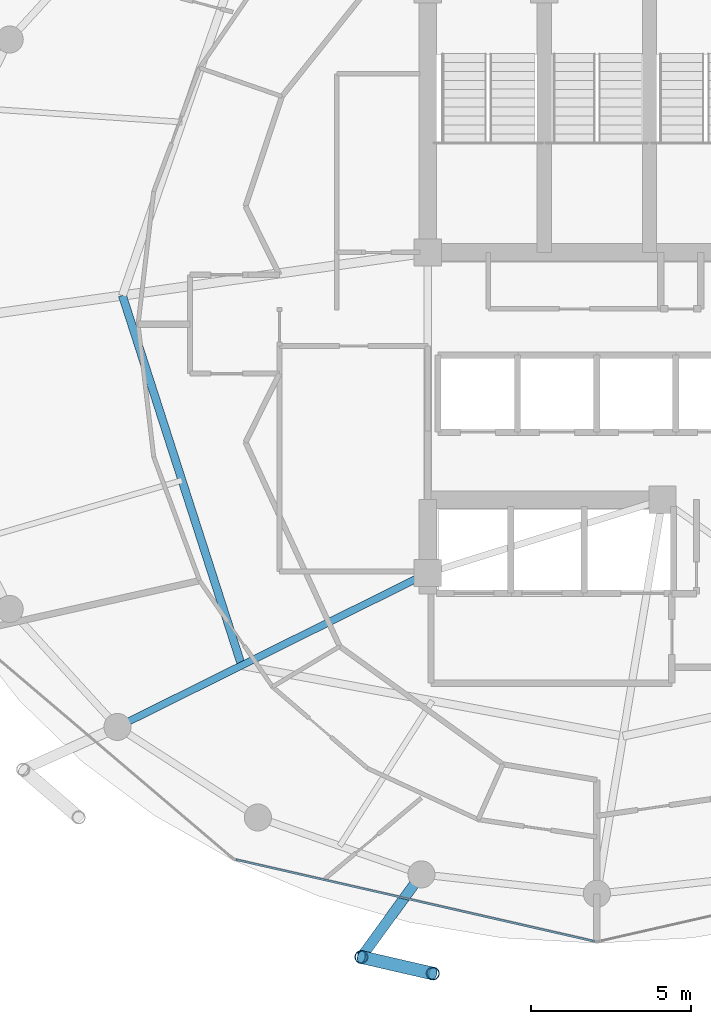
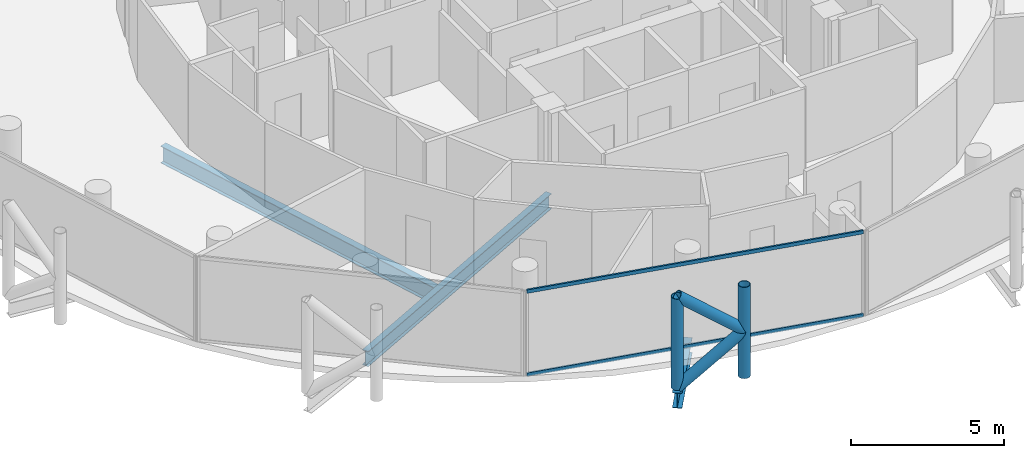
# One storey, part 4 of 27: 6 members, 3 beams, 1 element without a shape of its own.
"""IFC4 building model written with IfcOpenShell, lengths in metres."""

from ifc_helpers import new_model, si_unit, direction, frame, origin, origin_2d, place, context, subcontext, project, spatial, hollow_rectangle, hollow_circle, i_section, extrude, material, layer, layer_set, material_profile, profile_set, type_object, element, aggregate, save


model = new_model("IFC4")

# Units and contexts
model_context = context("Model", 3, precision=1e-05, world=origin(), true_north=direction((0.0, 1.0)))
body_context = subcontext(model_context, "Body", "Model", "MODEL_VIEW")
ifc_project = project(units=[si_unit("LENGTHUNIT", "METRE"), si_unit("AREAUNIT", "SQUARE_METRE"), si_unit("VOLUMEUNIT", "CUBIC_METRE"), si_unit("PLANEANGLEUNIT", "RADIAN"), si_unit("MASSUNIT", "GRAM", prefix="KILO")], contexts=[model_context])

# Site, building, storey
site_placement = place(None, origin())
site = spatial("IfcSite", under=ifc_project, at=site_placement, CompositionType="ELEMENT")
building_placement = place(site_placement, origin())
building = spatial("IfcBuilding", under=site, at=building_placement, Name="Nuhasar Tower", CompositionType="ELEMENT")
storey_placement = place(building_placement, frame((0.0, 0.0, 251.949951171875)))
storey = spatial("IfcBuildingStorey", under=building, at=storey_placement, Name="L62", CompositionType="ELEMENT", Elevation=251.949951171875)

# Beams
ifc_material_1 = material(Name="Steel S355", Category="steel")
ifc_material_profile_1 = material_profile(ifc_material_1, i_section(OverallWidth=0.25390625, OverallDepth=0.68408203125, WebThickness=0.012451171875, FlangeThickness=0.018798828125, at=origin_2d()), Name="W27X94")
ifc_profile_set_1 = profile_set([ifc_material_profile_1], Name="Steel S355")
beam_type_1 = type_object("IfcBeamType", Name="BM-INRING-W27X94", PredefinedType="BEAM", material=ifc_profile_set_1)
beam_1_placement = place(storey_placement, frame((24.1298828125, 27.699951171875, -0.58203125), z_axis=(0.306589852134, -0.951841721385, 0.0), x_axis=(0.951841721385, 0.306589852134, 0.0)))
element("IfcBeam", 1, at=beam_1_placement, inside=storey, type_object=beam_type_1, Name="L62 Inner Header Beam 08", PredefinedType="BEAM", context=body_context, shape_type="SweptSolid", body=[
    extrude(i_section(OverallWidth=0.25390625, OverallDepth=0.68408203125, WebThickness=0.012451171875, FlangeThickness=0.018798828125, at=origin_2d()), origin(), (0.0, 0.0, 1.0), 12.179443359375),
])
ifc_material_profile_2 = material_profile(ifc_material_1, i_section(OverallWidth=0.22900390625, OverallDepth=0.612060546875, WebThickness=0.011962890625, FlangeThickness=0.01953125, at=origin_2d()), Name="W24X84")
ifc_profile_set_2 = profile_set([ifc_material_profile_2], Name="Steel S355")
beam_type_2 = type_object("IfcBeamType", Name="BM-RAD-W24X84", PredefinedType="BEAM", material=ifc_profile_set_2)
beam_2_placement = place(storey_placement, frame((33.699951171875, 19.0, -0.5458984375), z_axis=(-0.895928935233, -0.444197414459, 0.0), x_axis=(0.444197414459, -0.895928935233, 0.0)))
element("IfcBeam", 2, at=beam_2_placement, inside=storey, type_object=beam_type_2, Name="L62 Radial Floor Girder 01", PredefinedType="BEAM", context=body_context, shape_type="SweptSolid", body=[
    extrude(i_section(OverallWidth=0.22900390625, OverallDepth=0.612060546875, WebThickness=0.011962890625, FlangeThickness=0.01953125, at=origin_2d()), origin(), (0.0, 0.0, 1.0), 10.85546875),
])
ifc_material_profile_3 = material_profile(ifc_material_1, i_section(OverallWidth=0.323974609375, OverallDepth=0.611083984375, WebThickness=0.0126953125, FlangeThickness=0.01904296875, at=origin_2d()), Name="W24X104")
ifc_profile_set_3 = profile_set([ifc_material_profile_3], Name="Steel S355")
beam_type_3 = type_object("IfcBeamType", Name="BM-TIE-W24X104", PredefinedType="BEAM", material=ifc_profile_set_3)
beam_3_placement = place(storey_placement, frame((33.5, 9.55810546875, -0.544921875), z_axis=(-0.588094663461, -0.808792103577, 0.0), x_axis=(0.808792103577, -0.588094663461, 0.0)))
element("IfcBeam", 3, at=beam_3_placement, inside=storey, type_object=beam_type_3, Name="L62 Exoskeleton Node Tie Beam 09", PredefinedType="BEAM", context=body_context, shape_type="SweptSolid", body=[
    extrude(i_section(OverallWidth=0.323974609375, OverallDepth=0.611083984375, WebThickness=0.0126953125, FlangeThickness=0.01904296875, at=origin_2d()), origin(), (0.0, 0.0, 1.0), 3.20361328125),
])

# Curtain wall, members
ifc_material_2 = material(Name="Aluminium 6063-T6", Category="aluminium")
ifc_layer = layer(ifc_material_2, 0.18994140625)
ifc_layer_set = layer_set([ifc_layer], Name="Aluminium 6063-T6")
curtain_wall_type = type_object("IfcCurtainWallType", Name="CW-Z3-RES", PredefinedType="NOTDEFINED", material=ifc_layer_set)
curtain_wall_placement = place(storey_placement, origin())
curtain_wall = element("IfcCurtainWall", 4, at=curtain_wall_placement, inside=storey, type_object=curtain_wall_type, Name="L62 Unitised Curtain Wall 09", PredefinedType="NOTDEFINED")
ifc_material_profile_4 = material_profile(ifc_material_2, hollow_rectangle(XDim=0.06494140625, YDim=0.139892578125, WallThickness=0.00439453125, at=origin_2d()), Name="CWT-4")
ifc_profile_set_4 = profile_set([ifc_material_profile_4], Name="Aluminium 6063-T6")
member_type_1 = type_object("IfcMemberType", Name="CW-TRN-S4", PredefinedType="USERDEFINED", material=ifc_profile_set_4)
member_1_placement = place(storey_placement, frame((27.683349609375, 10.01953125, 0.032470703125), z_axis=(0.974989487479, -0.222250982686, 0.0), x_axis=(0.222250982686, 0.974989487479, 0.0)))
member_1 = element("IfcMember", 5, at=member_1_placement, type_object=member_type_1, Name="CW-Z3 transom 1.1", ObjectType="TRANSOM", PredefinedType="USERDEFINED", context=body_context, shape_type="SweptSolid", body=[
    extrude(hollow_rectangle(XDim=0.06494140625, YDim=0.139892578125, WallThickness=0.00439453125, at=origin_2d()), origin(), (0.0, 0.0, 1.0), 11.541748046875),
])
member_2_placement = place(storey_placement, frame((27.683349609375, 10.01953125, 3.357666015625), z_axis=(0.974989487479, -0.222250982686, 0.0), x_axis=(0.222250982686, 0.974989487479, 0.0)))
member_2 = element("IfcMember", 6, at=member_2_placement, type_object=member_type_1, Name="CW-Z3 transom 1.2", ObjectType="TRANSOM", PredefinedType="USERDEFINED", context=body_context, shape_type="SweptSolid", body=[
    extrude(hollow_rectangle(XDim=0.06494140625, YDim=0.139892578125, WallThickness=0.00439453125, at=origin_2d()), origin(), (0.0, 0.0, 1.0), 11.541748046875),
])
aggregate(curtain_wall, [member_1, member_2])

# Members
ifc_material_3 = material(Name="Steel S460", Category="steel")
ifc_material_profile_5 = material_profile(ifc_material_3, hollow_circle(Radius=0.203125, WallThickness=0.01904296875, at=origin_2d()), Name="HSS406.4X19.1")
ifc_profile_set_5 = profile_set([ifc_material_profile_5], Name="Steel S460")
member_type_2 = type_object("IfcMemberType", Name="EXO-BRONZE-406", PredefinedType="BRACE", material=ifc_profile_set_5)
for number, where, z_axis, x_axis, name in (
    (7, (31.615966796875, 6.967041015625, 0.0), (0.0, 0.0, 1.0), (1.0, 0.0, 0.0), "L62 Exoskeleton Chord Column EC-09A"),
    (8, (33.85693359375, 6.450927734375, 0.0), (0.0, 0.0, 1.0), (1.0, 0.0, 0.0), "L62 Exoskeleton Chord Column EC-09B"),
):
    element("IfcMember", number, at=place(storey_placement, frame(where, z_axis=z_axis, x_axis=x_axis)), inside=storey, type_object=member_type_2, Name=name, PredefinedType="BRACE", context=body_context, shape_type="SweptSolid", body=[
        extrude(hollow_circle(Radius=0.203125, WallThickness=0.01904296875, at=origin_2d()), origin(), (0.0, 0.0, 1.0), 3.650146484375),
    ])
member_3_placement = place(storey_placement, frame((31.615966796875, 6.967041015625, 0.0), z_axis=(0.76333158458, -0.175801609086, 0.621625841021), x_axis=(0.224433035437, 0.97448951385, 0.0)))
element("IfcMember", 9, at=member_3_placement, inside=storey, type_object=member_type_2, Name="L62 Bronze Diagrid Brace W1-09", PredefinedType="BRACE", context=body_context, shape_type="SweptSolid", body=[
    extrude(hollow_circle(Radius=0.203125, WallThickness=0.01904296875, at=origin_2d()), origin(), (0.0, 0.0, 1.0), 2.935791015625),
])
member_4_placement = place(storey_placement, frame((33.85693359375, 6.450927734375, 1.824951171875), z_axis=(-0.763292124721, 0.175792521153, 0.621676862884), x_axis=(-0.224433035437, -0.97448951385, 0.0)))
element("IfcMember", 10, at=member_4_placement, inside=storey, type_object=member_type_2, Name="L62 Bronze Diagrid Brace W2-09", PredefinedType="BRACE", context=body_context, shape_type="SweptSolid", body=[
    extrude(hollow_circle(Radius=0.203125, WallThickness=0.01904296875, at=origin_2d()), origin(), (0.0, 0.0, 1.0), 2.93603515625),
])

save(model, "model.ifc")
